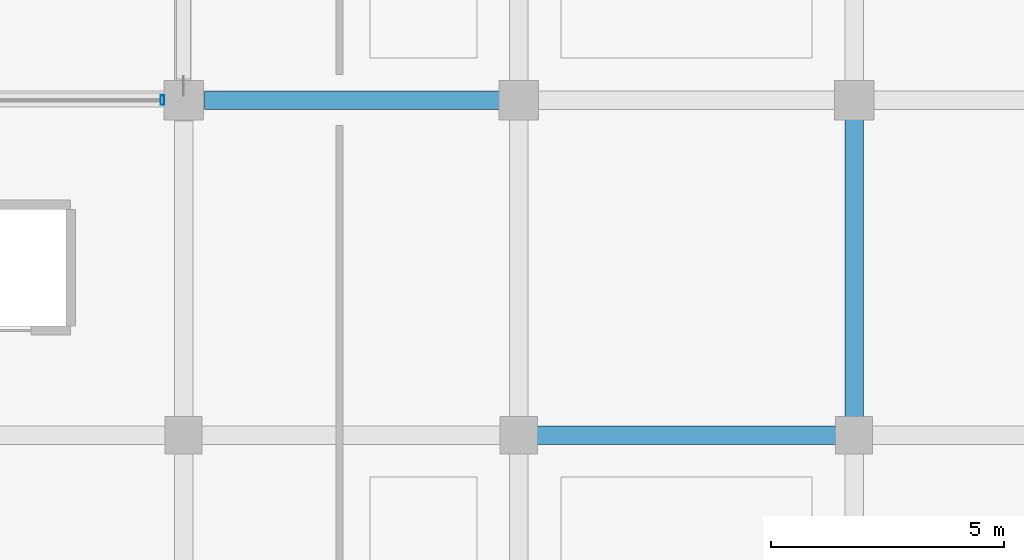
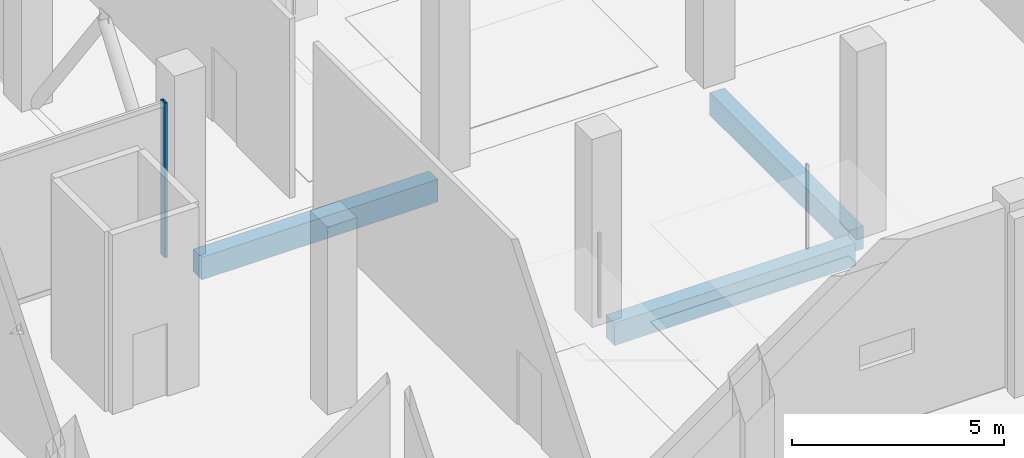
# One storey, part 39 of 90: 3 beams, 1 member, 1 element without a shape of its own.
"""IFC4 building model written with IfcOpenShell, lengths in metres."""

import ifcopenshell
import ifcopenshell.guid

model = None  # the IFC model being written
_history = None  # IfcOwnerHistory: only IFC2X3 demands one
_inside = {}  # id of a spatial element -> (the spatial element, [elements in it])
_under = {}  # id of a project, library or spatial element -> (it, [spatial elements below it])
_declared = {}  # id of a project -> (the project, [libraries it declares])
_typed = {}  # id of a type object -> (the type object, [elements of that type])
_made_of = {}  # id of a material, layer set ... -> (it, [elements and type objects made of it])


def new_model(schema):
    """Start an empty IFC model of exactly this schema.

    Asked for "IFC4X3", IfcOpenShell would pick the latest addendum, in which some entities
    have other attributes; the version numbers below select the first issue.
    IFC2X3 requires an IfcOwnerHistory on every rooted entity: one is made here for all.
    """
    global model, _history
    if schema == "IFC4X3":
        model = ifcopenshell.file(schema_version=(4, 3, 0, 0))
    else:
        model = ifcopenshell.file(schema=schema)
    _inside.clear()
    _under.clear()
    _declared.clear()
    _typed.clear()
    _made_of.clear()
    _history = None
    if model.schema == "IFC2X3":
        org = make("IfcOrganization", Name="unknown")
        user = make(
            "IfcPersonAndOrganization",
            ThePerson=make("IfcPerson", FamilyName="unknown"),
            TheOrganization=org,
        )
        app = make(
            "IfcApplication",
            ApplicationDeveloper=org,
            Version="unknown",
            ApplicationFullName="unknown",
            ApplicationIdentifier="unknown",
        )
        _history = make(
            "IfcOwnerHistory",
            OwningUser=user,
            OwningApplication=app,
            ChangeAction="ADDED",
            CreationDate=0,
        )
    return model


def make(cls, **values):
    """One entity of the class cls with the attributes given. An attribute that is None is left unset."""
    return model.create_entity(
        cls, **{name: value for name, value in values.items() if value is not None}
    )


def rooted(cls, **values):
    """An entity with a GlobalId (a new one), such as an element, a storey or a relation."""
    return make(cls, GlobalId=ifcopenshell.guid.new(), OwnerHistory=_history, **values)


def si_unit(unit_type, name, prefix=None):
    """IfcSIUnit, for example si_unit("LENGTHUNIT", "METRE", prefix="MILLI")."""
    return make("IfcSIUnit", UnitType=unit_type, Prefix=prefix, Name=name)


def assignment(units):
    """IfcUnitAssignment: the units of a project."""
    return None if units is None else make("IfcUnitAssignment", Units=units)


def point(xyz):
    """IfcCartesianPoint."""
    return None if xyz is None else make("IfcCartesianPoint", Coordinates=xyz)


def direction(xyz):
    """IfcDirection."""
    return None if xyz is None else make("IfcDirection", DirectionRatios=xyz)


def frame(location, z_axis=None, x_axis=None):
    """IfcAxis2Placement3D, a coordinate frame: its origin and axes. An axis left out is left unset."""
    return make(
        "IfcAxis2Placement3D",
        Location=point(location),
        Axis=direction(z_axis),
        RefDirection=direction(x_axis),
    )


def frame_2d(location, x_axis=None):
    """IfcAxis2Placement2D, a coordinate frame in the plane: its origin and x axis."""
    return make(
        "IfcAxis2Placement2D", Location=point(location), RefDirection=direction(x_axis)
    )


def origin():
    """The frame at (0, 0, 0) with its axes left unset."""
    return frame((0.0, 0.0, 0.0))


def origin_2d():
    """The frame at (0, 0) in the plane with its x axis left unset."""
    return frame_2d((0.0, 0.0))


def place(relative_to, where):
    """IfcLocalPlacement: puts the frame where relative to a parent placement (None: the world)."""
    return make(
        "IfcLocalPlacement", PlacementRelTo=relative_to, RelativePlacement=where
    )


def context(
    kind, dimensions, precision=None, world=None, true_north=None, identifier=None
):
    """IfcGeometricRepresentationContext, for example the 3D "Model" context."""
    return make(
        "IfcGeometricRepresentationContext",
        ContextIdentifier=identifier,
        ContextType=kind,
        CoordinateSpaceDimension=dimensions,
        Precision=precision,
        WorldCoordinateSystem=world,
        TrueNorth=true_north,
    )


def subcontext(parent, identifier, kind, view, scale=None):
    """IfcGeometricRepresentationSubContext, for example "Body" below "Model"."""
    return make(
        "IfcGeometricRepresentationSubContext",
        ContextIdentifier=identifier,
        ContextType=kind,
        ParentContext=parent,
        TargetScale=scale,
        TargetView=view,
    )


def project(units=None, contexts=None):
    """IfcProject with its units and contexts."""
    return rooted(
        "IfcProject",
        Name="project",
        RepresentationContexts=contexts,
        UnitsInContext=assignment(units),
    )


def spatial(cls, under=None, at=None, **own):
    """A site, building, storey or space (cls), placed at a placement, below another one or the project."""
    s = rooted(cls, ObjectPlacement=at, **own)
    if under is not None:
        _under.setdefault(under.id(), (under, []))[1].append(s)
    return s


def profile(cls, at=None, kind="AREA", **sizes):
    """A parametric profile (cls). Its sizes go by their IFC names, for example OverallWidth=200.0."""
    return make(cls, ProfileType=kind, Position=at, **sizes)


def rectangle(**sizes):
    """IfcRectangleProfileDef."""
    return profile("IfcRectangleProfileDef", **sizes)


def hollow_rectangle(**sizes):
    """IfcRectangleHollowProfileDef."""
    return profile("IfcRectangleHollowProfileDef", **sizes)


def extrude(swept, where, along, depth):
    """IfcExtrudedAreaSolid: the profile swept, set in the frame where, extruded along a direction by depth."""
    return make(
        "IfcExtrudedAreaSolid",
        SweptArea=swept,
        Position=where,
        ExtrudedDirection=direction(along),
        Depth=depth,
    )


def shape(context_of_items, identifier, shape_type, items):
    """IfcShapeRepresentation: the items that make up one representation, for example the "Body"."""
    return make(
        "IfcShapeRepresentation",
        ContextOfItems=context_of_items,
        RepresentationIdentifier=identifier,
        RepresentationType=shape_type,
        Items=items,
    )


def material(Name=None, Category=None):
    """IfcMaterial."""
    return make("IfcMaterial", Name=Name, Category=Category)


def layer(
    of_material, thickness, ventilated=None, Name=None, Category=None, Priority=None
):
    """IfcMaterialLayer: one layer of a wall or slab, of a material (None: an air gap)."""
    return make(
        "IfcMaterialLayer",
        Material=of_material,
        LayerThickness=thickness,
        IsVentilated=ventilated,
        Name=Name,
        Category=Category,
        Priority=Priority,
    )


def layer_set(layers, Name=None):
    """IfcMaterialLayerSet."""
    return make("IfcMaterialLayerSet", MaterialLayers=layers, LayerSetName=Name)


def material_profile(
    of_material, cross_section, Name=None, Category=None, Priority=None
):
    """IfcMaterialProfile: a cross section and its material."""
    return make(
        "IfcMaterialProfile",
        Name=Name,
        Material=of_material,
        Profile=cross_section,
        Priority=Priority,
        Category=Category,
    )


def profile_set(profiles, Name=None, composite=None):
    """IfcMaterialProfileSet."""
    return make(
        "IfcMaterialProfileSet",
        Name=Name,
        MaterialProfiles=profiles,
        CompositeProfile=composite,
    )


def made_of(thing, what):
    """Note that an element or type object is made of a material, layer set ...; save() writes the relation."""
    if what is not None:
        _made_of.setdefault(what.id(), (what, []))[1].append(thing)
    return thing


def type_object(cls, material=None, **own):
    """A type object (cls), such as IfcWallType, which elements share."""
    return made_of(rooted(cls, **own), material)


def element(
    cls,
    number,
    at=None,
    inside=None,
    cuts=None,
    type_object=None,
    material=None,
    context=None,
    identifier="Body",
    shape_type=None,
    held_by="IfcProductDefinitionShape",
    body=None,
    shapes=None,
    **own,
):
    """One element of the class cls, such as IfcWall. Its Tag is "e" and its number.

    at: its placement. inside: the storey or other place that contains it. cuts: it is an
    opening in that element (IfcRelVoidsElement). A single representation is given by context,
    identifier, shape_type and body (its items); several are given by shapes. held_by: the class
    of the entity that holds the representations. save() writes the other relations.
    """
    e = rooted(cls, Tag="e%d" % number, ObjectPlacement=at, **own)
    if body is not None:
        shapes = [shape(context, identifier, shape_type, body)]
    if shapes is not None:
        e.Representation = make(held_by, Representations=shapes)
    if inside is not None:
        _inside.setdefault(inside.id(), (inside, []))[1].append(e)
    if cuts is not None:
        rooted(
            "IfcRelVoidsElement", RelatingBuildingElement=cuts, RelatedOpeningElement=e
        )
    if type_object is not None:
        _typed.setdefault(type_object.id(), (type_object, []))[1].append(e)
    return made_of(e, material)


def aggregate(whole, parts):
    """IfcRelAggregates: a whole, such as a stair, and the parts it consists of."""
    return rooted("IfcRelAggregates", RelatingObject=whole, RelatedObjects=parts)


def save(model, path):
    """Write the relations noted so far, then the file.

    IfcRelAggregates (storeys below a building ...), IfcRelContainedInSpatialStructure (elements
    in a storey), IfcRelDefinesByType, IfcRelAssociatesMaterial and IfcRelDeclares: one each for
    every whole, place, type object, material and project.
    """
    for whole, parts in _under.values():
        aggregate(whole, parts)
    for where, things in _inside.values():
        rooted(
            "IfcRelContainedInSpatialStructure",
            RelatedElements=things,
            RelatingStructure=where,
        )
    for kind, things in _typed.values():
        rooted("IfcRelDefinesByType", RelatedObjects=things, RelatingType=kind)
    for what, things in _made_of.values():
        rooted("IfcRelAssociatesMaterial", RelatedObjects=things, RelatingMaterial=what)
    for by, libraries in _declared.values():
        rooted("IfcRelDeclares", RelatingContext=by, RelatedDefinitions=libraries)
    model.write(path)


model = new_model("IFC4")

# Units and contexts
model_context = context("Model", 3, precision=1e-05, world=origin(), true_north=direction((0.0, 1.0)))
body_context = subcontext(model_context, "Body", "Model", "MODEL_VIEW")
ifc_project = project(units=[si_unit("LENGTHUNIT", "METRE"), si_unit("AREAUNIT", "SQUARE_METRE"), si_unit("VOLUMEUNIT", "CUBIC_METRE"), si_unit("PLANEANGLEUNIT", "RADIAN"), si_unit("MASSUNIT", "GRAM", prefix="KILO")], contexts=[model_context])

# Site, building, storey
site_placement = place(None, origin())
site = spatial("IfcSite", under=ifc_project, at=site_placement, CompositionType="ELEMENT")
building_placement = place(site_placement, origin())
building = spatial("IfcBuilding", under=site, at=building_placement, Name="Kangsadwip Square Police Headquarters", CompositionType="ELEMENT")
storey_placement = place(building_placement, origin())
storey = spatial("IfcBuildingStorey", under=building, at=storey_placement, Name="L00", CompositionType="ELEMENT", Elevation=0.0)

# Curtain wall, member
ifc_material_1 = material(Name="Thermally broken anodised aluminium AW-6063-T6", Category="aluminium")
ifc_layer = layer(ifc_material_1, 0.159912109375)
ifc_layer_set = layer_set([ifc_layer], Name="Thermally broken anodised aluminium AW-6063-T6")
curtain_wall_type = type_object("IfcCurtainWallType", Name="CourtScreen6385x4450", PredefinedType="USERDEFINED", material=ifc_layer_set)
curtain_wall_placement = place(storey_placement, origin())
curtain_wall = element("IfcCurtainWall", 1, at=curtain_wall_placement, inside=storey, type_object=curtain_wall_type, Name="Curtain Wall CW-L00-1372-0360", ObjectType="GLAZED_SCREEN", PredefinedType="USERDEFINED")
ifc_material_2 = material(Name="Thermally broken anodised aluminium AW-6063-T6", Category="aluminium")
ifc_material_profile_1 = material_profile(ifc_material_2, hollow_rectangle(XDim=0.074951171875, YDim=0.199951171875, WallThickness=0.0048828125, at=origin_2d()), Name="CWM 200X75X5")
ifc_profile_set_1 = profile_set([ifc_material_profile_1], Name="Thermally broken anodised aluminium AW-6063-T6")
member_type = type_object("IfcMemberType", Name="CwMullion180x75", PredefinedType="MULLION", material=ifc_profile_set_1)
member_placement = place(storey_placement, frame((143.54248046875, 36.0, 0.0), z_axis=(0.0, 0.0, 1.0), x_axis=(1.0, 0.0, 0.0)))
member = element("IfcMember", 2, at=member_placement, type_object=member_type, Name="CW-01 mullion 2", PredefinedType="MULLION", context=body_context, shape_type="SweptSolid", body=[
    extrude(hollow_rectangle(XDim=0.074951171875, YDim=0.199951171875, WallThickness=0.0048828125, at=origin_2d()), origin(), (0.0, 0.0, 1.0), 4.449951171875),
])
aggregate(curtain_wall, [member])

# Beams
ifc_material_3 = material(Name="Concrete M35 (35 MPa)", Category="concrete")
ifc_material_profile_2 = material_profile(ifc_material_3, rectangle(XDim=0.39990234375, YDim=0.64990234375, at=origin_2d()), Name="RC BM 650X400")
ifc_profile_set_2 = profile_set([ifc_material_profile_2], Name="Concrete M35 (35 MPa)")
beam_type = type_object("IfcBeamType", Name="RcBeam650x400", PredefinedType="BEAM", material=ifc_profile_set_2)
beam_1_placement = place(storey_placement, frame((151.52490234375, 28.800048828125, -0.574951171875), z_axis=(1.0, 0.0, 0.0), x_axis=(0.0, 1.0, 0.0)))
element("IfcBeam", 3, at=beam_1_placement, inside=storey, type_object=beam_type, Name="Beam BM-L00-X-21-04", PredefinedType="BEAM", context=body_context, shape_type="SweptSolid", body=[
    extrude(rectangle(XDim=0.39990234375, YDim=0.64990234375, at=origin_2d()), origin(), (0.0, 0.0, 1.0), 6.550048828125),
])
beam_2_placement = place(storey_placement, frame((144.449951171875, 36.0, -0.574951171875), z_axis=(1.0, 0.0, 0.0), x_axis=(0.0, 1.0, 0.0)))
element("IfcBeam", 4, at=beam_2_placement, inside=storey, type_object=beam_type, Name="Beam BM-L00-X-20-05", PredefinedType="BEAM", context=body_context, shape_type="SweptSolid", body=[
    extrude(rectangle(XDim=0.39990234375, YDim=0.64990234375, at=origin_2d()), origin(), (0.0, 0.0, 1.0), 6.425048828125),
])
beam_3_placement = place(storey_placement, frame((158.39990234375, 29.125, -0.574951171875), z_axis=(0.0, 1.0, 0.0), x_axis=(-1.0, 0.0, 0.0)))
element("IfcBeam", 5, at=beam_3_placement, inside=storey, type_object=beam_type, Name="Beam BM-L00-Y-22-04", PredefinedType="BEAM", context=body_context, shape_type="SweptSolid", body=[
    extrude(rectangle(XDim=0.39990234375, YDim=0.64990234375, at=origin_2d()), origin(), (0.0, 0.0, 1.0), 6.550048828125),
])

save(model, "model.ifc")
